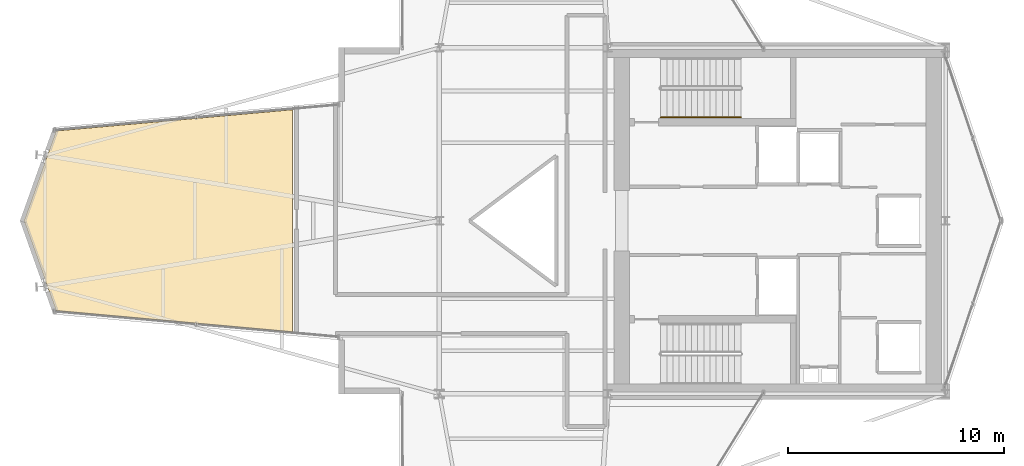
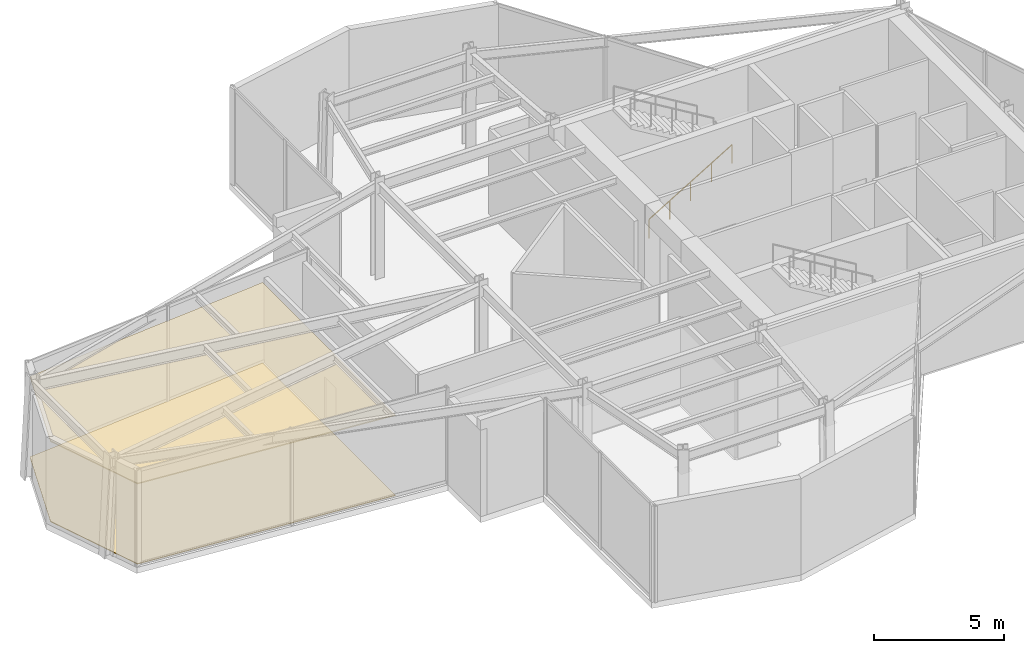
# One storey, part 13 of 14: 2 coverings, 1 railing.
"""IFC4 building model written with IfcOpenShell, lengths in metres."""

from ifc_helpers import new_model, si_unit, direction, frame, origin, origin_2d, place, context, subcontext, project, spatial, polyline, circle, outline, extrude, material, layer, layer_set, type_object, element, save


model = new_model("IFC4")

# Units and contexts
model_context = context("Model", 3, precision=1e-05, world=origin(), true_north=direction((0.0, 1.0)))
body_context = subcontext(model_context, "Body", "Model", "MODEL_VIEW")
ifc_project = project(units=[si_unit("LENGTHUNIT", "METRE"), si_unit("AREAUNIT", "SQUARE_METRE"), si_unit("VOLUMEUNIT", "CUBIC_METRE"), si_unit("PLANEANGLEUNIT", "RADIAN"), si_unit("MASSUNIT", "GRAM", prefix="KILO")], contexts=[model_context])

# Site, building, storey
site_placement = place(None, origin())
site = spatial("IfcSite", under=ifc_project, at=site_placement, CompositionType="ELEMENT")
building_placement = place(site_placement, origin())
building = spatial("IfcBuilding", under=site, at=building_placement, Name="Veymaron Broadcast Tower", CompositionType="ELEMENT")
storey_placement = place(building_placement, frame((0.0, 0.0, 187.050048828125)))
storey = spatial("IfcBuildingStorey", under=building, at=storey_placement, Name="L43", CompositionType="ELEMENT", Elevation=187.050048828125)

# Coverings
ifc_material_1 = material(Name="Micro-perforated dark-anodised aluminium baffle", Category="aluminium")
ifc_layer_1 = layer(ifc_material_1, 0.050048828125)
ifc_layer_set_1 = layer_set([ifc_layer_1], Name="Micro-perforated dark-anodised aluminium baffle")
covering_type_1 = type_object("IfcCoveringType", Name="COV-CEIL-MTL", PredefinedType="CEILING", material=ifc_layer_set_1)
covering_1_placement = place(storey_placement, frame((0.0, 0.0, 3.77001953125)))
element("IfcCovering", 1, at=covering_1_placement, inside=storey, type_object=covering_type_1, Name="L43 suspended acoustic ceiling 2", PredefinedType="CEILING", context=body_context, shape_type="SweptSolid", body=[
    extrude(outline(polyline([(13.490966796875, 19.84716796875), (12.01025390625, 24.0), (13.490966796875, 28.15283203125), (24.419921875, 29.13525390625), (24.419921875, 18.86474609375), (13.490966796875, 19.84716796875)])), origin(), (0.0, 0.0, 1.0), 0.050048828125),
])
ifc_material_2 = material(Name="Honed Saudi basalt stone flooring", Category="masonry")
ifc_layer_2 = layer(ifc_material_2, 0.030029296875)
ifc_layer_set_2 = layer_set([ifc_layer_2], Name="Honed Saudi basalt stone flooring")
covering_type_2 = type_object("IfcCoveringType", Name="COV-FLR-STN", PredefinedType="FLOORING", material=ifc_layer_set_2)
covering_2_placement = place(storey_placement, origin())
element("IfcCovering", 2, at=covering_2_placement, inside=storey, type_object=covering_type_2, Name="L43 finished flooring 2", PredefinedType="FLOORING", context=body_context, shape_type="SweptSolid", body=[
    extrude(outline(polyline([(13.490966796875, 19.84716796875), (12.01025390625, 24.0), (13.490966796875, 28.15283203125), (24.419921875, 29.13525390625), (24.419921875, 18.86474609375), (13.490966796875, 19.84716796875)])), origin(), (0.0, 0.0, 1.0), 0.030029296875),
])

# Railing
ifc_material_3 = material(Name="Brushed stainless steel AISI 304", Category="steel")
railing_type = type_object("IfcRailingType", Name="RAIL-STAIR-HR", PredefinedType="HANDRAIL", material=ifc_material_3)
railing_placement = place(storey_placement, frame((41.429931640625, 28.780029296875, 0.17138671875)))
element("IfcRailing", 3, at=railing_placement, inside=storey, type_object=railing_type, Name="L43 ST1 stair handrail 1", PredefinedType="HANDRAIL", context=body_context, shape_type="SweptSolid", body=[
    extrude(circle(Radius=0.02392578125, at=origin_2d()), frame((0.0, 0.0, 0.8759765625), z_axis=(0.856934400257, 0.0, 0.515425487977), x_axis=(0.0, 1.0, 0.0)), (0.0, 0.0, 1.0), 4.32373046875),
    extrude(circle(Radius=0.02099609375, at=origin_2d()), origin(), (0.0, 0.0, 1.0), 0.851806640625),
    extrude(circle(Radius=0.02099609375, at=origin_2d()), frame((0.92626953125, 0.0, 0.55712890625)), (0.0, 0.0, 1.0), 0.851806640625),
    extrude(circle(Radius=0.02099609375, at=origin_2d()), frame((1.8525390625, 0.0, 1.1142578125)), (0.0, 0.0, 1.0), 0.851806640625),
    extrude(circle(Radius=0.02099609375, at=origin_2d()), frame((2.77880859375, 0.0, 1.67138671875)), (0.0, 0.0, 1.0), 0.851806640625),
    extrude(circle(Radius=0.02099609375, at=origin_2d()), frame((3.705078125, 0.0, 2.228515625)), (0.0, 0.0, 1.0), 0.851806640625),
])

save(model, "model.ifc")
